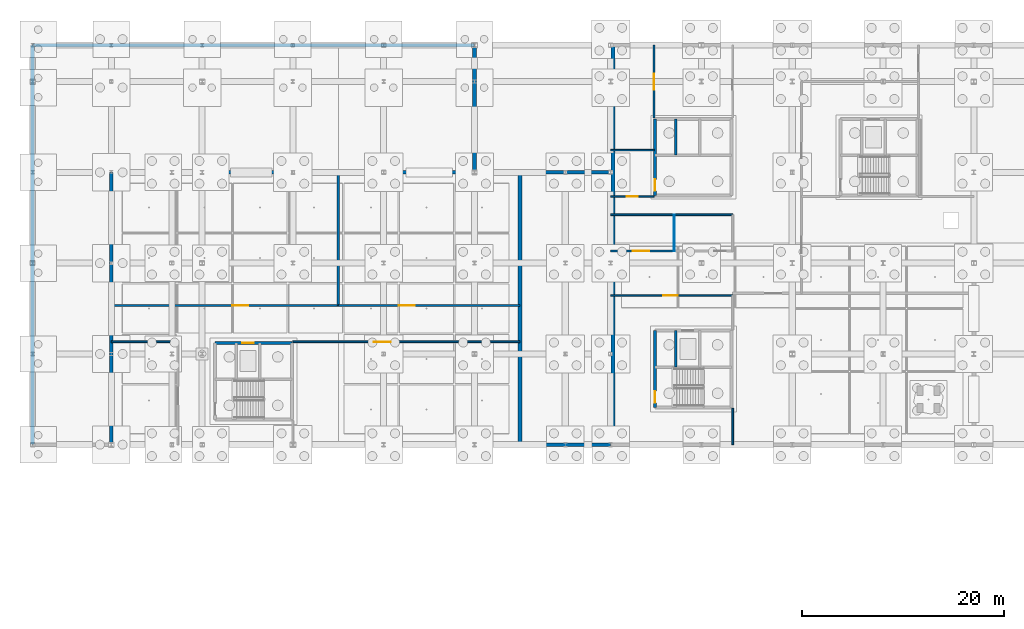
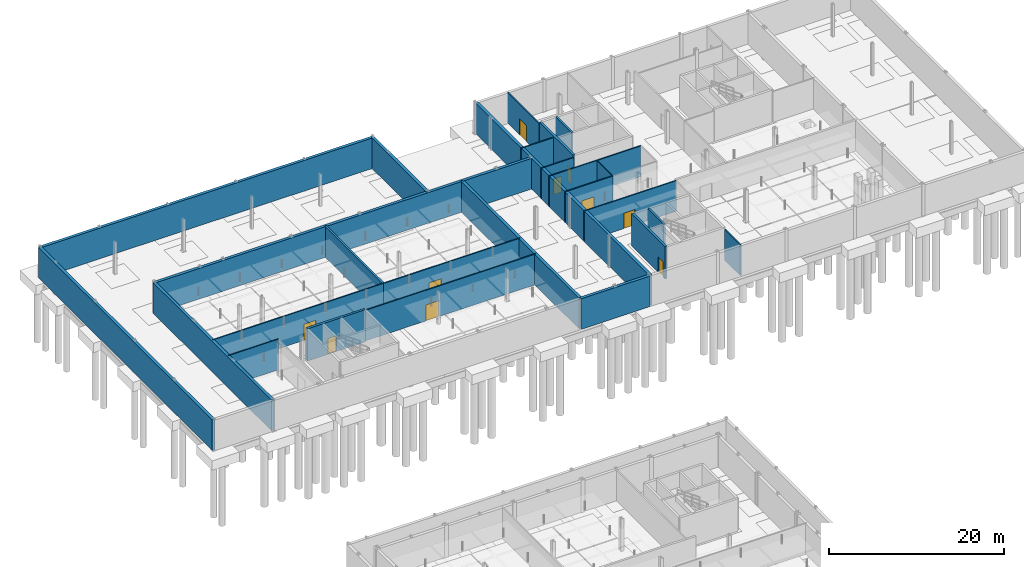
# One storey, part 25 of 48: 27 walls, 10 doors, 10 openings.
"""IFC4 building model written with IfcOpenShell, lengths in metres."""

from ifc_helpers import new_model, si_unit, direction, frame, frame_2d, origin, place, context, subcontext, project, spatial, rectangle, extrude, material, layer, layer_set, type_object, element, fill, save


model = new_model("IFC4")

# Units and contexts
model_context = context("Model", 3, precision=1e-05, world=origin(), true_north=direction((0.0, 1.0)))
body_context = subcontext(model_context, "Body", "Model", "MODEL_VIEW")
ifc_project = project(units=[si_unit("LENGTHUNIT", "METRE"), si_unit("AREAUNIT", "SQUARE_METRE"), si_unit("VOLUMEUNIT", "CUBIC_METRE"), si_unit("PLANEANGLEUNIT", "RADIAN"), si_unit("MASSUNIT", "GRAM", prefix="KILO"), si_unit("THERMODYNAMICTEMPERATUREUNIT", "KELVIN"), si_unit("POWERUNIT", "WATT")], contexts=[model_context])

# Site, building, storey
site_placement = place(None, origin())
site = spatial("IfcSite", under=ifc_project, at=site_placement, CompositionType="ELEMENT")
building_placement = place(site_placement, origin())
building = spatial("IfcBuilding", under=site, at=building_placement, Name="Tallowbark Science Centre", CompositionType="ELEMENT")
storey_placement = place(building_placement, frame((0.0, 0.0, -4.5)))
storey = spatial("IfcBuildingStorey", under=building, at=storey_placement, Name="B1", CompositionType="ELEMENT", Elevation=-4.5)

# Wall, opening, door
ifc_material_1 = material(Name="150 mm Wet-Area Moisture-Resistant Partition")
ifc_layer_1 = layer(ifc_material_1, 0.14990234375)
ifc_layer_set_1 = layer_set([ifc_layer_1], Name="150 mm Wet-Area Moisture-Resistant Partition")
wall_type_1 = type_object("IfcWallType", Name="PTW-150", PredefinedType="PARTITIONING", material=ifc_layer_set_1)
wall_1_placement = place(storey_placement, frame((112.5, 96.60009765625, 0.0), z_axis=(0.0, 0.0, 1.0), x_axis=(1.0, 0.0, 0.0)))
wall_1 = element("IfcWall", 1, at=wall_1_placement, inside=storey, type_object=wall_type_1, Name="Interior Partition PTW-B1-0093", PredefinedType="PARTITIONING", context=body_context, shape_type="SweptSolid", body=[
    extrude(rectangle(XDim=4.300048828125, YDim=0.14990234375, at=frame_2d((2.14990234375, 0.0))), origin(), (0.0, 0.0, 1.0), 4.260009765625),
])
opening_1_placement = place(wall_1_placement, frame((1.60009765625, 0.0, 0.0)))
opening_1 = element("IfcOpeningElement", 2, at=opening_1_placement, cuts=wall_1, Name="Opening DS-29", PredefinedType="OPENING", context=body_context, shape_type="SweptSolid", body=[
    extrude(rectangle(XDim=1.080078125, YDim=2.199951171875, at=frame_2d((0.5400390625, 1.10009765625))), frame((0.0, 0.0849609375, 0.0), z_axis=(0.0, -1.0, 0.0), x_axis=(1.0, 0.0, 0.0)), (0.0, 0.0, 1.0), 0.169921875),
])
ifc_material_2 = material(Name="Accessible Cavity Sliding Leaf")
door_type_1 = type_object("IfcDoorType", Name="IDR-AWC-100-S29", OperationType="SLIDING_TO_LEFT", PredefinedType="DOOR", material=ifc_material_2)
door_1_placement = place(opening_1_placement, origin())
door_1 = element("IfcDoor", 3, at=door_1_placement, inside=storey, type_object=door_type_1, Name="Interior Door IDR-B1-0029", OperationType="SLIDING_TO_LEFT", OverallHeight=2.199951171875, OverallWidth=1.080078125, PredefinedType="DOOR", context=body_context, shape_type="SweptSolid", body=[
    extrude(rectangle(XDim=1.080078125, YDim=2.199951171875, at=frame_2d((0.5400390625, 1.10009765625))), frame((0.0, 0.02490234375, 0.0), z_axis=(0.0, -1.0, 0.0), x_axis=(1.0, 0.0, 0.0)), (0.0, 0.0, 1.0), 0.050048828125),
])
fill(opening_1, door_1)

# Wall
wall_2_placement = place(storey_placement, frame((112.5, 101.199951171875, 0.0), z_axis=(0.0, 0.0, 1.0), x_axis=(1.0, 0.0, 0.0)))
element("IfcWall", 4, at=wall_2_placement, inside=storey, type_object=wall_type_1, Name="Interior Partition PTW-B1-0094", PredefinedType="PARTITIONING", context=body_context, shape_type="SweptSolid", body=[
    extrude(rectangle(XDim=4.300048828125, YDim=0.14990234375, at=frame_2d((2.14990234375, 0.0))), origin(), (0.0, 0.0, 1.0), 4.260009765625),
])

# Wall, opening, door
ifc_material_3 = material(Name="162 mm Double-Stud Fire-Rated Corridor Partition")
ifc_layer_2 = layer(ifc_material_3, 0.162109375)
ifc_layer_set_2 = layer_set([ifc_layer_2], Name="162 mm Double-Stud Fire-Rated Corridor Partition")
wall_type_2 = type_object("IfcWallType", Name="PTW-162", PredefinedType="PARTITIONING", material=ifc_layer_set_2)
wall_3_placement = place(storey_placement, frame((112.5, 86.800048828125, 0.0), z_axis=(0.0, 0.0, 1.0), x_axis=(1.0, 0.0, 0.0)))
wall_3 = element("IfcWall", 5, at=wall_3_placement, inside=storey, type_object=wall_type_2, Name="Interior Partition PTW-B1-0009", PredefinedType="PARTITIONING", context=body_context, shape_type="SweptSolid", body=[
    extrude(rectangle(XDim=12.10009765625, YDim=0.162109375, at=frame_2d((6.050048828125, 0.0))), origin(), (0.0, 0.0, 1.0), 4.260009765625),
])
opening_2_placement = place(wall_3_placement, frame((5.199951171875, 0.0, 0.0)))
opening_2 = element("IfcOpeningElement", 6, at=opening_2_placement, cuts=wall_3, Name="Opening DS-01", PredefinedType="OPENING", context=body_context, shape_type="SweptSolid", body=[
    extrude(rectangle(XDim=1.449951171875, YDim=2.14990234375, at=frame_2d((0.72509765625, 1.074951171875))), frame((0.0, 0.091064453125, 0.0), z_axis=(0.0, -1.0, 0.0), x_axis=(1.0, 0.0, 0.0)), (0.0, 0.0, 1.0), 0.18212890625),
])
ifc_material_4 = material(Name="Fire-Rated Glazed Steel Pair", Category="steel")
door_type_2 = type_object("IfcDoorType", Name="FDR-LOB-145-S01", OperationType="DOUBLE_DOOR_SINGLE_SWING", PredefinedType="DOOR", material=ifc_material_4)
door_2_placement = place(opening_2_placement, origin())
door_2 = element("IfcDoor", 7, at=door_2_placement, inside=storey, type_object=door_type_2, Name="Interior Door IDR-B1-0001", OperationType="DOUBLE_DOOR_SINGLE_SWING", OverallHeight=2.14990234375, OverallWidth=1.449951171875, PredefinedType="DOOR", context=body_context, shape_type="SweptSolid", body=[
    extrude(rectangle(XDim=1.449951171875, YDim=2.14990234375, at=frame_2d((0.72509765625, 1.074951171875))), frame((0.0, 0.02490234375, 0.0), z_axis=(0.0, -1.0, 0.0), x_axis=(1.0, 0.0, 0.0)), (0.0, 0.0, 1.0), 0.050048828125),
])
fill(opening_2, door_2)

# Walls
wall_4_placement = place(storey_placement, frame((124.60009765625, 72.0, 0.0), z_axis=(0.0, 0.0, 1.0), x_axis=(0.0, 1.0, 0.0)))
element("IfcWall", 8, at=wall_4_placement, inside=storey, type_object=wall_type_2, Name="Interior Partition PTW-B1-0011", PredefinedType="PARTITIONING", context=body_context, shape_type="SweptSolid", body=[
    extrude(rectangle(XDim=3.60009765625, YDim=0.162109375, at=frame_2d((1.800048828125, 0.0))), origin(), (0.0, 0.0, 1.0), 4.260009765625),
])
wall_5_placement = place(storey_placement, frame((63.0, 82.199951171875, 0.0), z_axis=(0.0, 0.0, 1.0), x_axis=(1.0, 0.0, 0.0)))
element("IfcWall", 9, at=wall_5_placement, inside=storey, type_object=wall_type_2, Name="Interior Partition PTW-B1-0081", PredefinedType="PARTITIONING", context=body_context, shape_type="SweptSolid", body=[
    extrude(rectangle(XDim=6.60009765625, YDim=0.162109375, at=frame_2d((3.300048828125, 0.0))), origin(), (0.0, 0.0, 1.0), 4.260009765625),
])

# Wall, opening, door
wall_6_placement = place(storey_placement, frame((81.0, 82.199951171875, 0.0), z_axis=(0.0, 0.0, 1.0), x_axis=(1.0, 0.0, 0.0)))
wall_6 = element("IfcWall", 10, at=wall_6_placement, inside=storey, type_object=wall_type_2, Name="Interior Partition PTW-B1-0083", PredefinedType="PARTITIONING", context=body_context, shape_type="SweptSolid", body=[
    extrude(rectangle(XDim=22.5, YDim=0.162109375, at=frame_2d((11.25, 0.0))), origin(), (0.0, 0.0, 1.0), 4.260009765625),
])
opening_3_placement = place(wall_6_placement, frame((8.0, 0.0, 0.0)))
opening_3 = element("IfcOpeningElement", 11, at=opening_3_placement, cuts=wall_6, Name="Opening DS-23", PredefinedType="OPENING", context=body_context, shape_type="SweptSolid", body=[
    extrude(rectangle(XDim=1.679931640625, YDim=2.22509765625, at=frame_2d((0.83984375, 1.112548828125))), frame((0.0, 0.091064453125, 0.0), z_axis=(0.0, -1.0, 0.0), x_axis=(1.0, 0.0, 0.0)), (0.0, 0.0, 1.0), 0.18212890625),
])
ifc_material_5 = material(Name="Fire-Rated Acoustic Plant Pair")
door_type_3 = type_object("IfcDoorType", Name="FDR-PLT-160-S23", OperationType="DOUBLE_DOOR_SINGLE_SWING", PredefinedType="DOOR", material=ifc_material_5)
door_3_placement = place(opening_3_placement, origin())
door_3 = element("IfcDoor", 12, at=door_3_placement, inside=storey, type_object=door_type_3, Name="Interior Door IDR-B1-0023", OperationType="DOUBLE_DOOR_SINGLE_SWING", OverallHeight=2.22509765625, OverallWidth=1.679931640625, PredefinedType="DOOR", context=body_context, shape_type="SweptSolid", body=[
    extrude(rectangle(XDim=1.679931640625, YDim=2.22509765625, at=frame_2d((0.83984375, 1.112548828125))), frame((0.0, 0.02490234375, 0.0), z_axis=(0.0, -1.0, 0.0), x_axis=(1.0, 0.0, 0.0)), (0.0, 0.0, 1.0), 0.050048828125),
])
fill(opening_3, door_3)

wall_7_placement = place(storey_placement, frame((63.0, 85.800048828125, 0.0), z_axis=(0.0, 0.0, 1.0), x_axis=(1.0, 0.0, 0.0)))
wall_7 = element("IfcWall", 13, at=wall_7_placement, inside=storey, type_object=wall_type_2, Name="Interior Partition PTW-B1-0084", PredefinedType="PARTITIONING", context=body_context, shape_type="SweptSolid", body=[
    extrude(rectangle(XDim=22.5, YDim=0.162109375, at=frame_2d((11.25, 0.0))), origin(), (0.0, 0.0, 1.0), 4.260009765625),
])
opening_4_placement = place(wall_7_placement, frame((12.0, 0.0, 0.0)))
opening_4 = element("IfcOpeningElement", 14, at=opening_4_placement, cuts=wall_7, Name="Opening DS-24", PredefinedType="OPENING", context=body_context, shape_type="SweptSolid", body=[
    extrude(rectangle(XDim=1.580078125, YDim=2.25, at=frame_2d((0.7900390625, 1.125))), frame((0.0, 0.091064453125, 0.0), z_axis=(0.0, -1.0, 0.0), x_axis=(1.0, 0.0, 0.0)), (0.0, 0.0, 1.0), 0.18212890625),
])
door_type_4 = type_object("IfcDoorType", Name="FDR-PLT-160-S24", OperationType="DOUBLE_DOOR_SINGLE_SWING", PredefinedType="DOOR", material=ifc_material_5)
door_4_placement = place(opening_4_placement, origin())
door_4 = element("IfcDoor", 15, at=door_4_placement, inside=storey, type_object=door_type_4, Name="Interior Door IDR-B1-0024", OperationType="DOUBLE_DOOR_SINGLE_SWING", OverallHeight=2.25, OverallWidth=1.580078125, PredefinedType="DOOR", context=body_context, shape_type="SweptSolid", body=[
    extrude(rectangle(XDim=1.580078125, YDim=2.25, at=frame_2d((0.7900390625, 1.125))), frame((0.0, 0.02490234375, 0.0), z_axis=(0.0, -1.0, 0.0), x_axis=(1.0, 0.0, 0.0)), (0.0, 0.0, 1.0), 0.050048828125),
])
fill(opening_4, door_4)

wall_8_placement = place(storey_placement, frame((85.5, 85.800048828125, 0.0), z_axis=(0.0, 0.0, 1.0), x_axis=(1.0, 0.0, 0.0)))
wall_8 = element("IfcWall", 16, at=wall_8_placement, inside=storey, type_object=wall_type_2, Name="Interior Partition PTW-B1-0085", PredefinedType="PARTITIONING", context=body_context, shape_type="SweptSolid", body=[
    extrude(rectangle(XDim=18.0, YDim=0.162109375, at=frame_2d((9.0, 0.0))), origin(), (0.0, 0.0, 1.0), 4.260009765625),
])
opening_5_placement = place(wall_8_placement, frame((6.0, 0.0, 0.0)))
opening_5 = element("IfcOpeningElement", 17, at=opening_5_placement, cuts=wall_8, Name="Opening DS-25", PredefinedType="OPENING", context=body_context, shape_type="SweptSolid", body=[
    extrude(rectangle(XDim=1.60009765625, YDim=2.25, at=frame_2d((0.800048828125, 1.125))), frame((0.0, 0.091064453125, 0.0), z_axis=(0.0, -1.0, 0.0), x_axis=(1.0, 0.0, 0.0)), (0.0, 0.0, 1.0), 0.18212890625),
])
door_type_5 = type_object("IfcDoorType", Name="FDR-PLT-160-S25", OperationType="DOUBLE_DOOR_SINGLE_SWING", PredefinedType="DOOR", material=ifc_material_5)
door_5_placement = place(opening_5_placement, origin())
door_5 = element("IfcDoor", 18, at=door_5_placement, inside=storey, type_object=door_type_5, Name="Interior Door IDR-B1-0025", OperationType="DOUBLE_DOOR_SINGLE_SWING", OverallHeight=2.25, OverallWidth=1.60009765625, PredefinedType="DOOR", context=body_context, shape_type="SweptSolid", body=[
    extrude(rectangle(XDim=1.60009765625, YDim=2.25, at=frame_2d((0.800048828125, 1.125))), frame((0.0, 0.02490234375, 0.0), z_axis=(0.0, -1.0, 0.0), x_axis=(1.0, 0.0, 0.0)), (0.0, 0.0, 1.0), 0.050048828125),
])
fill(opening_5, door_5)

wall_9_placement = place(storey_placement, frame((112.5, 91.199951171875, 0.0), z_axis=(0.0, 0.0, 1.0), x_axis=(1.0, 0.0, 0.0)))
wall_9 = element("IfcWall", 19, at=wall_9_placement, inside=storey, type_object=wall_type_2, Name="Interior Partition PTW-B1-0088", PredefinedType="PARTITIONING", context=body_context, shape_type="SweptSolid", body=[
    extrude(rectangle(XDim=6.300048828125, YDim=0.162109375, at=frame_2d((3.14990234375, 0.0))), origin(), (0.0, 0.0, 1.0), 4.260009765625),
])
opening_6_placement = place(wall_9_placement, frame((2.199951171875, 0.0, 0.0)))
opening_6 = element("IfcOpeningElement", 20, at=opening_6_placement, cuts=wall_9, Name="Opening DS-27", PredefinedType="OPENING", context=body_context, shape_type="SweptSolid", body=[
    extrude(rectangle(XDim=1.639892578125, YDim=2.25, at=frame_2d((0.81982421875, 1.125))), frame((0.0, 0.091064453125, 0.0), z_axis=(0.0, -1.0, 0.0), x_axis=(1.0, 0.0, 0.0)), (0.0, 0.0, 1.0), 0.18212890625),
])
door_type_6 = type_object("IfcDoorType", Name="FDR-PLT-160-S27", OperationType="DOUBLE_DOOR_SINGLE_SWING", PredefinedType="DOOR", material=ifc_material_5)
door_6_placement = place(opening_6_placement, origin())
door_6 = element("IfcDoor", 21, at=door_6_placement, inside=storey, type_object=door_type_6, Name="Interior Door IDR-B1-0027", OperationType="DOUBLE_DOOR_SINGLE_SWING", OverallHeight=2.25, OverallWidth=1.639892578125, PredefinedType="DOOR", context=body_context, shape_type="SweptSolid", body=[
    extrude(rectangle(XDim=1.639892578125, YDim=2.25, at=frame_2d((0.81982421875, 1.125))), frame((0.0, 0.02490234375, 0.0), z_axis=(0.0, -1.0, 0.0), x_axis=(1.0, 0.0, 0.0)), (0.0, 0.0, 1.0), 0.050048828125),
])
fill(opening_6, door_6)

# Wall
wall_10_placement = place(storey_placement, frame((112.5, 94.800048828125, 0.0), z_axis=(0.0, 0.0, 1.0), x_axis=(1.0, 0.0, 0.0)))
element("IfcWall", 22, at=wall_10_placement, inside=storey, type_object=wall_type_2, Name="Interior Partition PTW-B1-0091", PredefinedType="PARTITIONING", context=body_context, shape_type="SweptSolid", body=[
    extrude(rectangle(XDim=12.10009765625, YDim=0.162109375, at=frame_2d((6.050048828125, 0.0))), origin(), (0.0, 0.0, 1.0), 4.260009765625),
])

# Wall, opening, door
wall_11_placement = place(storey_placement, frame((116.800048828125, 104.39990234375, 0.0), z_axis=(0.0, 0.0, 1.0), x_axis=(0.0, 1.0, 0.0)))
wall_11 = element("IfcWall", 23, at=wall_11_placement, inside=storey, type_object=wall_type_2, Name="Interior Partition PTW-B1-0095", PredefinedType="PARTITIONING", context=body_context, shape_type="SweptSolid", body=[
    extrude(rectangle(XDim=7.2001953125, YDim=0.162109375, at=frame_2d((3.60009765625, 0.0))), origin(), (0.0, 0.0, 1.0), 4.260009765625),
])
opening_7_placement = place(wall_11_placement, frame((2.800048828125, 0.0, 0.0)))
opening_7 = element("IfcOpeningElement", 24, at=opening_7_placement, cuts=wall_11, Name="Opening DS-30", PredefinedType="OPENING", context=body_context, shape_type="SweptSolid", body=[
    extrude(rectangle(XDim=1.580078125, YDim=2.27490234375, at=frame_2d((0.7900390625, 1.137451171875))), frame((0.0, 0.091064453125, 0.0), z_axis=(0.0, -1.0, 0.0), x_axis=(1.0, 0.0, 0.0)), (0.0, 0.0, 1.0), 0.18212890625),
])
door_type_7 = type_object("IfcDoorType", Name="FDR-PLT-160-S30", OperationType="DOUBLE_DOOR_SINGLE_SWING", PredefinedType="DOOR", material=ifc_material_5)
door_7_placement = place(opening_7_placement, origin())
door_7 = element("IfcDoor", 25, at=door_7_placement, inside=storey, type_object=door_type_7, Name="Interior Door IDR-B1-0030", OperationType="DOUBLE_DOOR_SINGLE_SWING", OverallHeight=2.27490234375, OverallWidth=1.580078125, PredefinedType="DOOR", context=body_context, shape_type="SweptSolid", body=[
    extrude(rectangle(XDim=1.580078125, YDim=2.27490234375, at=frame_2d((0.7900390625, 1.137451171875))), frame((0.0, 0.02490234375, 0.0), z_axis=(0.0, -1.0, 0.0), x_axis=(1.0, 0.0, 0.0)), (0.0, 0.0, 1.0), 0.050048828125),
])
fill(opening_7, door_7)

# Wall
ifc_material_6 = material(Name="92 mm Steel Stud and Double 13 mm Plasterboard Partition", Category="steel")
ifc_layer_3 = layer(ifc_material_6, 0.092041015625)
ifc_layer_set_3 = layer_set([ifc_layer_3], Name="92 mm Steel Stud and Double 13 mm Plasterboard Partition")
wall_type_3 = type_object("IfcWallType", Name="PTW-92", PredefinedType="PARTITIONING", material=ifc_layer_set_3)
wall_12_placement = place(storey_placement, frame((118.800048828125, 91.199951171875, 0.0), z_axis=(0.0, 0.0, 1.0), x_axis=(0.0, 1.0, 0.0)))
element("IfcWall", 26, at=wall_12_placement, inside=storey, type_object=wall_type_3, Name="Interior Partition PTW-B1-0090", PredefinedType="PARTITIONING", context=body_context, shape_type="SweptSolid", body=[
    extrude(rectangle(XDim=3.60009765625, YDim=0.092041015625, at=frame_2d((1.800048828125, 0.0))), origin(), (0.0, 0.0, 1.0), 4.260009765625),
])

# Wall, opening, door
ifc_material_7 = material(Name="Concrete Grade N40 (40 MPa)", Category="concrete")
ifc_layer_4 = layer(ifc_material_7, 0.300048828125)
ifc_layer_set_4 = layer_set([ifc_layer_4], Name="Concrete Grade N40 (40 MPa)")
wall_type_4 = type_object("IfcWallType", Name="WL-CORE-300", PredefinedType="SHEAR", material=ifc_layer_set_4)
wall_13_placement = place(storey_placement, frame((73.300048828125, 82.10009765625, 0.0), z_axis=(0.0, 0.0, 1.0), x_axis=(1.0, 0.0, 0.0)))
wall_13 = element("IfcWall", 27, at=wall_13_placement, inside=storey, type_object=wall_type_4, Name="Core C1 Shear Wall B1 N", PredefinedType="SHEAR", context=body_context, shape_type="SweptSolid", body=[
    extrude(rectangle(XDim=7.599853515625, YDim=0.300048828125, at=frame_2d((3.7998046875, 0.0))), origin(), (0.0, 0.0, 1.0), 4.5),
])
opening_8_placement = place(wall_13_placement, frame((2.699951171875, 0.0, 0.0)))
opening_8 = element("IfcOpeningElement", 28, at=opening_8_placement, cuts=wall_13, Name="Opening LD-01", PredefinedType="OPENING", context=body_context, shape_type="SweptSolid", body=[
    extrude(rectangle(XDim=1.10009765625, YDim=2.199951171875, at=frame_2d((0.550048828125, 1.10009765625))), frame((0.0, 0.16015625, 0.0), z_axis=(0.0, -1.0, 0.0), x_axis=(1.0, 0.0, 0.0)), (0.0, 0.0, 1.0), 0.320068359375),
])
ifc_material_8 = material(Name="Brushed Stainless Steel Centre-Parting Lift Landing Door", Category="steel")
door_type_8 = type_object("IfcDoorType", Name="LDR-LFT-110", OperationType="DOUBLE_DOOR_SLIDING", PredefinedType="DOOR", material=ifc_material_8)
door_8_placement = place(opening_8_placement, origin())
door_8 = element("IfcDoor", 29, at=door_8_placement, inside=storey, type_object=door_type_8, Name="Lift LF-01 Landing Door B1", OperationType="DOUBLE_DOOR_SLIDING", OverallHeight=2.199951171875, OverallWidth=1.10009765625, PredefinedType="DOOR", context=body_context, shape_type="SweptSolid", body=[
    extrude(rectangle(XDim=1.10009765625, YDim=2.199951171875, at=frame_2d((0.550048828125, 1.10009765625))), frame((0.0, 0.02490234375, 0.0), z_axis=(0.0, -1.0, 0.0), x_axis=(1.0, 0.0, 0.0)), (0.0, 0.0, 1.0), 0.050048828125),
])
fill(opening_8, door_8)

wall_14_placement = place(storey_placement, frame((116.89990234375, 75.699951171875, 0.0), z_axis=(0.0, 0.0, 1.0), x_axis=(0.0, 1.0, 0.0)))
wall_14 = element("IfcWall", 30, at=wall_14_placement, inside=storey, type_object=wall_type_4, Name="Core C2 Shear Wall B1 W", PredefinedType="SHEAR", context=body_context, shape_type="SweptSolid", body=[
    extrude(rectangle(XDim=7.60009765625, YDim=0.300048828125, at=frame_2d((3.800048828125, 0.0))), origin(), (0.0, 0.0, 1.0), 4.5),
])
opening_9_placement = place(wall_14_placement, frame((0.449951171875, 0.0, 0.0)))
opening_9 = element("IfcOpeningElement", 31, at=opening_9_placement, cuts=wall_14, Name="Opening FD-01", PredefinedType="OPENING", context=body_context, shape_type="SweptSolid", body=[
    extrude(rectangle(XDim=1.14990234375, YDim=2.14990234375, at=frame_2d((0.574951171875, 1.074951171875))), frame((0.0, 0.16015625, 0.0), z_axis=(0.0, -1.0, 0.0), x_axis=(1.0, 0.0, 0.0)), (0.0, 0.0, 1.0), 0.320068359375),
])
ifc_material_9 = material(Name="Fire-Rated Pressed Steel Frame and Solid Core Leaf", Category="steel")
door_type_9 = type_object("IfcDoorType", Name="FDR-STR-115", OperationType="NOTDEFINED", PredefinedType="DOOR", material=ifc_material_9)
door_9_placement = place(opening_9_placement, origin())
door_9 = element("IfcDoor", 32, at=door_9_placement, inside=storey, type_object=door_type_9, Name="Stair ST-02 Fire Door B1", OperationType="SINGLE_SWING_RIGHT", OverallHeight=2.14990234375, OverallWidth=1.14990234375, PredefinedType="DOOR", context=body_context, shape_type="SweptSolid", body=[
    extrude(rectangle(XDim=1.14990234375, YDim=2.14990234375, at=frame_2d((0.574951171875, 1.074951171875))), frame((0.0, 0.02490234375, 0.0), z_axis=(0.0, -1.0, 0.0), x_axis=(1.0, 0.0, 0.0)), (0.0, 0.0, 1.0), 0.050048828125),
])
fill(opening_9, door_9)

wall_15_placement = place(storey_placement, frame((116.89990234375, 96.699951171875, 0.0), z_axis=(0.0, 0.0, 1.0), x_axis=(0.0, 1.0, 0.0)))
wall_15 = element("IfcWall", 33, at=wall_15_placement, inside=storey, type_object=wall_type_4, Name="Core C5 Shear Wall B1 W", PredefinedType="SHEAR", context=body_context, shape_type="SweptSolid", body=[
    extrude(rectangle(XDim=7.60009765625, YDim=0.300048828125, at=frame_2d((3.800048828125, 0.0))), origin(), (0.0, 0.0, 1.0), 4.5),
])
opening_10_placement = place(wall_15_placement, frame((0.449951171875, 0.0, 0.0)))
opening_10 = element("IfcOpeningElement", 34, at=opening_10_placement, cuts=wall_15, Name="Opening FD-01", PredefinedType="OPENING", context=body_context, shape_type="SweptSolid", body=[
    extrude(rectangle(XDim=1.14990234375, YDim=2.14990234375, at=frame_2d((0.574951171875, 1.074951171875))), frame((0.0, 0.16015625, 0.0), z_axis=(0.0, -1.0, 0.0), x_axis=(1.0, 0.0, 0.0)), (0.0, 0.0, 1.0), 0.320068359375),
])
door_10_placement = place(opening_10_placement, origin())
door_10 = element("IfcDoor", 35, at=door_10_placement, inside=storey, type_object=door_type_9, Name="Stair ST-05 Fire Door B1", OperationType="SINGLE_SWING_RIGHT", OverallHeight=2.14990234375, OverallWidth=1.14990234375, PredefinedType="DOOR", context=body_context, shape_type="SweptSolid", body=[
    extrude(rectangle(XDim=1.14990234375, YDim=2.14990234375, at=frame_2d((0.574951171875, 1.074951171875))), frame((0.0, 0.02490234375, 0.0), z_axis=(0.0, -1.0, 0.0), x_axis=(1.0, 0.0, 0.0)), (0.0, 0.0, 1.0), 0.050048828125),
])
fill(opening_10, door_10)

# Walls
ifc_layer_5 = layer(ifc_material_7, 0.260009765625)
ifc_layer_set_5 = layer_set([ifc_layer_5], Name="Concrete Grade N40 (40 MPa)")
wall_type_5 = type_object("IfcWallType", Name="WL-FIRE-260", PredefinedType="SHEAR", material=ifc_layer_set_5)
wall_16_placement = place(storey_placement, frame((85.5, 85.800048828125, 0.0), z_axis=(0.0, 0.0, 1.0), x_axis=(0.0, 1.0, 0.0)))
element("IfcWall", 36, at=wall_16_placement, inside=storey, type_object=wall_type_5, Name="Basement Wall B1-FIR-02", PredefinedType="SHEAR", context=body_context, shape_type="SweptSolid", body=[
    extrude(rectangle(XDim=13.199951171875, YDim=0.260009765625, at=frame_2d((6.60009765625, 0.0))), origin(), (0.0, 0.0, 1.0), 4.260009765625),
])
ifc_layer_6 = layer(ifc_material_7, 0.3798828125)
ifc_layer_set_6 = layer_set([ifc_layer_6], Name="Concrete Grade N40 (40 MPa)")
wall_type_6 = type_object("IfcWallType", Name="WL-RET-380", PredefinedType="SHEAR", material=ifc_layer_set_6)
wall_17_placement = place(storey_placement, frame((55.199951171875, 72.0, 0.0), z_axis=(0.0, 0.0, 1.0), x_axis=(0.0, 1.0, 0.0)))
element("IfcWall", 37, at=wall_17_placement, inside=storey, type_object=wall_type_6, Name="Basement Wall B1-RET-CAF-W", PredefinedType="SHEAR", context=body_context, shape_type="SweptSolid", body=[
    extrude(rectangle(XDim=39.60009765625, YDim=0.3798828125, at=frame_2d((19.800048828125, 0.0))), origin(), (0.0, 0.0, 1.0), 4.260009765625),
])
wall_18_placement = place(storey_placement, frame((55.199951171875, 111.60009765625, 0.0), z_axis=(0.0, 0.0, 1.0), x_axis=(1.0, 0.0, 0.0)))
element("IfcWall", 38, at=wall_18_placement, inside=storey, type_object=wall_type_6, Name="Basement Wall B1-RET-CAF-N", PredefinedType="SHEAR", context=body_context, shape_type="SweptSolid", body=[
    extrude(rectangle(XDim=43.800048828125, YDim=0.3798828125, at=frame_2d((21.89990234375, 0.0))), origin(), (0.0, 0.0, 1.0), 4.260009765625),
])
wall_19_placement = place(storey_placement, frame((99.0, 99.0, 0.0), z_axis=(0.0, 0.0, 1.0), x_axis=(0.0, 1.0, 0.0)))
element("IfcWall", 39, at=wall_19_placement, inside=storey, type_object=wall_type_6, Name="Basement Wall B1-RET-CAF-E", PredefinedType="SHEAR", context=body_context, shape_type="SweptSolid", body=[
    extrude(rectangle(XDim=12.60009765625, YDim=0.3798828125, at=frame_2d((6.300048828125, 0.0))), origin(), (0.0, 0.0, 1.0), 4.260009765625),
])
for number, where, z_axis, x_axis, name in (
    (40, (103.5, 72.0, 0.0), (0.0, 0.0, 1.0), (1.0, 0.0, 0.0), "Basement Wall B1-RET-LBE-S"),
    (41, (103.5, 99.0, 0.0), (0.0, 0.0, 1.0), (1.0, 0.0, 0.0), "Basement Wall B1-RET-LBE-N"),
):
    element("IfcWall", number, at=place(storey_placement, frame(where, z_axis=z_axis, x_axis=x_axis)), inside=storey, type_object=wall_type_6, Name=name, PredefinedType="SHEAR", context=body_context, shape_type="SweptSolid", body=[
        extrude(rectangle(XDim=9.0, YDim=0.3798828125, at=frame_2d((4.5, 0.0))), origin(), (0.0, 0.0, 1.0), 4.260009765625),
    ])
wall_20_placement = place(storey_placement, frame((63.0, 99.0, 0.0), z_axis=(0.0, 0.0, 1.0), x_axis=(1.0, 0.0, 0.0)))
element("IfcWall", 42, at=wall_20_placement, inside=storey, type_object=wall_type_6, Name="Basement Wall B1-RET-LAB-N", PredefinedType="SHEAR", context=body_context, shape_type="SweptSolid", body=[
    extrude(rectangle(XDim=40.5, YDim=0.3798828125, at=frame_2d((20.25, 0.0))), origin(), (0.0, 0.0, 1.0), 4.260009765625),
])
for number, where, z_axis, x_axis, name in (
    (43, (63.0, 72.0, 0.0), (0.0, 0.0, 1.0), (0.0, 1.0, 0.0), "Basement Wall B1-RET-LAB-W"),
    (44, (103.5, 72.0, 0.0), (0.0, 0.0, 1.0), (0.0, 1.0, 0.0), "Basement Wall B1-RET-LAB-E"),
):
    element("IfcWall", number, at=place(storey_placement, frame(where, z_axis=z_axis, x_axis=x_axis)), inside=storey, type_object=wall_type_6, Name=name, PredefinedType="SHEAR", context=body_context, shape_type="SweptSolid", body=[
        extrude(rectangle(XDim=27.0, YDim=0.3798828125, at=frame_2d((13.5, 0.0))), origin(), (0.0, 0.0, 1.0), 4.260009765625),
    ])
wall_21_placement = place(storey_placement, frame((112.715087890625, 72.0, 0.0), z_axis=(0.0, 0.0, 1.0), x_axis=(0.0, 1.0, 0.0)))
element("IfcWall", 45, at=wall_21_placement, inside=storey, type_object=wall_type_6, Name="Basement Wall B1-RET-OBS-W", PredefinedType="SHEAR", context=body_context, shape_type="SweptSolid", body=[
    extrude(rectangle(XDim=39.60009765625, YDim=0.3798828125, at=frame_2d((19.800048828125, 0.0))), origin(), (0.0, 0.0, 1.0), 4.260009765625),
])
ifc_layer_7 = layer(ifc_material_7, 0.25)
ifc_layer_set_7 = layer_set([ifc_layer_7], Name="Concrete Grade N40 (40 MPa)")
wall_type_7 = type_object("IfcWallType", Name="WL-SHAFT-250", PredefinedType="SHEAR", material=ifc_layer_set_7)
for number, where, z_axis, x_axis, name in (
    (46, (118.97509765625, 79.695068359375, 0.0), (0.0, 0.0, 1.0), (0.0, 1.0, 0.0), "Core C2 Shear Wall B1 LW"),
    (47, (118.97509765625, 100.695068359375, 0.0), (0.0, 0.0, 1.0), (0.0, 1.0, 0.0), "Core C5 Shear Wall B1 LW"),
):
    element("IfcWall", number, at=place(storey_placement, frame(where, z_axis=z_axis, x_axis=x_axis)), inside=storey, type_object=wall_type_7, Name=name, PredefinedType="SHEAR", context=body_context, shape_type="SweptSolid", body=[
        extrude(rectangle(XDim=3.60498046875, YDim=0.25, at=frame_2d((1.802490234375, 0.0))), origin(), (0.0, 0.0, 1.0), 4.5),
    ])

save(model, "model.ifc")
